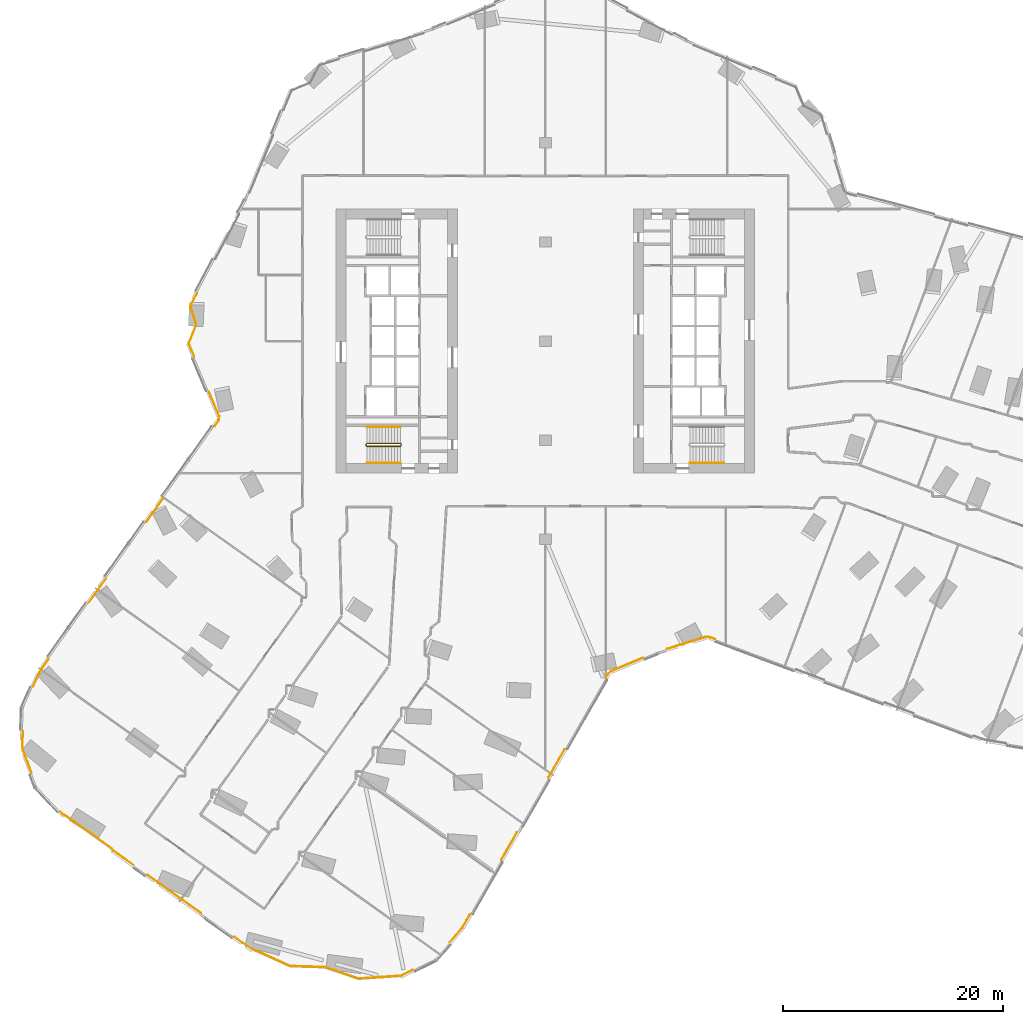
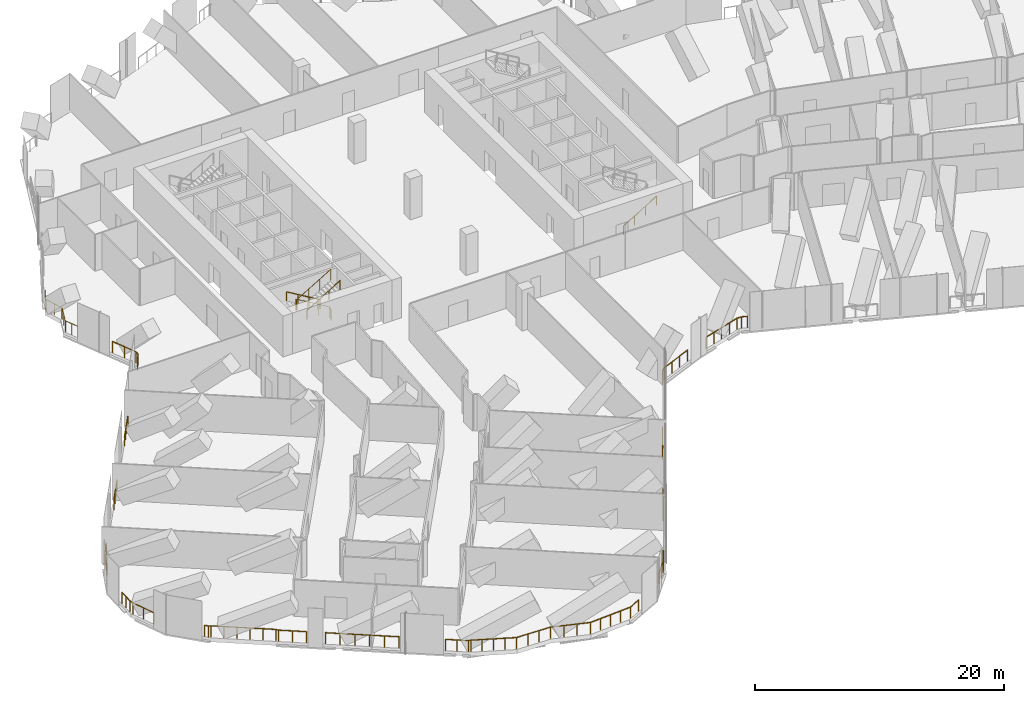
# One storey, part 32 of 34: 20 railings.
"""IFC4 building model written with IfcOpenShell, lengths in metres."""

from ifc_helpers import new_model, si_unit, direction, frame, origin, origin_2d, place, context, subcontext, project, spatial, circle, extrude, material, type_object, element, save


model = new_model("IFC4")

# Units and contexts
model_context = context("Model", 3, precision=1e-05, world=origin(), true_north=direction((0.0, 1.0)))
body_context = subcontext(model_context, "Body", "Model", "MODEL_VIEW")
ifc_project = project(units=[si_unit("LENGTHUNIT", "METRE"), si_unit("AREAUNIT", "SQUARE_METRE"), si_unit("VOLUMEUNIT", "CUBIC_METRE"), si_unit("PLANEANGLEUNIT", "RADIAN"), si_unit("MASSUNIT", "GRAM", prefix="KILO")], contexts=[model_context])

# Site, building, storey
site_placement = place(None, origin())
site = spatial("IfcSite", under=ifc_project, at=site_placement, CompositionType="ELEMENT")
building_placement = place(site_placement, origin())
building = spatial("IfcBuilding", under=site, at=building_placement, Name="Orlundy Tower", CompositionType="ELEMENT")
storey_placement = place(building_placement, frame((0.0, 0.0, 98.199951171875)))
storey = spatial("IfcBuildingStorey", under=building, at=storey_placement, Name="L24", CompositionType="ELEMENT", Elevation=98.199951171875)

# Railings
ifc_material_1 = material(Name="Steel balustrade", Category="steel")
railing_type_1 = type_object("IfcRailingType", Name="Stair Guard 1100", PredefinedType="GUARDRAIL", material=ifc_material_1)
railing_1_placement = place(storey_placement, frame((-13.090087890625, -9.35009765625, 0.0)))
element("IfcRailing", 1, at=railing_1_placement, inside=storey, type_object=railing_type_1, Name="L24 ST-W2 stair guard 1", PredefinedType="GUARDRAIL", context=body_context, shape_type="SweptSolid", body=[
    extrude(circle(Radius=0.02392578125, at=origin_2d()), frame((0.0, 0.0, 1.076171875), z_axis=(0.0, -1.0, 0.0), x_axis=(1.0, 0.0, 0.0)), (0.0, 0.0, 1.0), 0.14990234375),
    extrude(circle(Radius=0.02392578125, at=origin_2d()), frame((0.0, -0.14990234375, 1.076171875), z_axis=(-0.1878875253, 0.754313153044, 0.629054802844), x_axis=(-0.970351222016, -0.241699205484, 0.0)), (0.0, 0.0, 1.0), 0.26513671875),
    extrude(circle(Radius=0.02392578125, at=origin_2d()), frame((-0.0498046875, 0.050048828125, 1.24267578125), z_axis=(-0.859308565015, 0.0, 0.511457515432), x_axis=(0.0, -1.0, 0.0)), (0.0, 0.0, 1.0), 3.58447265625),
    extrude(circle(Radius=0.02392578125, at=origin_2d()), frame((-3.1298828125, 0.050048828125, 3.076171875), z_axis=(-0.707106781187, -0.707106781187, 0.0), x_axis=(0.707106781187, -0.707106781187, 0.0)), (0.0, 0.0, 1.0), 0.07080078125),
    extrude(circle(Radius=0.02392578125, at=origin_2d()), frame((-3.179931640625, 0.0, 3.076171875), z_axis=(0.0, -1.0, 0.0), x_axis=(1.0, 0.0, 0.0)), (0.0, 0.0, 1.0), 0.14990234375),
    extrude(circle(Radius=0.02392578125, at=origin_2d()), frame((-3.179931640625, -0.14990234375, 3.076171875), z_axis=(0.27628659633, -0.27628659633, 0.920506074601), x_axis=(0.707106781187, 0.707106781187, 0.0)), (0.0, 0.0, 1.0), 0.18115234375),
    extrude(circle(Radius=0.02392578125, at=origin_2d()), frame((-3.1298828125, -0.199951171875, 3.24267578125), z_axis=(0.859308565015, 0.0, 0.511457515432), x_axis=(0.0, 1.0, 0.0)), (0.0, 0.0, 1.0), 3.58447265625),
    extrude(circle(Radius=0.02099609375, at=origin_2d()), origin(), (0.0, 0.0, 1.0), 1.052001953125),
    extrude(circle(Radius=0.02099609375, at=origin_2d()), frame((0.0, -0.14990234375, 0.0)), (0.0, 0.0, 1.0), 1.052001953125),
    extrude(circle(Radius=0.02099609375, at=origin_2d()), frame((-0.0498046875, 0.050048828125, 0.166748046875)), (0.0, 0.0, 1.0), 1.052001953125),
    extrude(circle(Radius=0.02099609375, at=origin_2d()), frame((-1.076416015625, 0.050048828125, 0.77783203125)), (0.0, 0.0, 1.0), 1.052001953125),
    extrude(circle(Radius=0.02099609375, at=origin_2d()), frame((-2.103271484375, 0.050048828125, 1.388916015625)), (0.0, 0.0, 1.0), 1.052001953125),
    extrude(circle(Radius=0.02099609375, at=origin_2d()), frame((-3.1298828125, 0.050048828125, 2.0)), (0.0, 0.0, 1.0), 1.052001953125),
    extrude(circle(Radius=0.02099609375, at=origin_2d()), frame((-3.179931640625, 0.0, 2.0)), (0.0, 0.0, 1.0), 1.052001953125),
    extrude(circle(Radius=0.02099609375, at=origin_2d()), frame((-3.179931640625, -0.14990234375, 2.0)), (0.0, 0.0, 1.0), 1.052001953125),
    extrude(circle(Radius=0.02099609375, at=origin_2d()), frame((-3.1298828125, -0.199951171875, 2.166748046875)), (0.0, 0.0, 1.0), 1.052001953125),
    extrude(circle(Radius=0.02099609375, at=origin_2d()), frame((-2.103271484375, -0.199951171875, 2.77783203125)), (0.0, 0.0, 1.0), 1.052001953125),
    extrude(circle(Radius=0.02099609375, at=origin_2d()), frame((-1.076416015625, -0.199951171875, 3.388916015625)), (0.0, 0.0, 1.0), 1.052001953125),
    extrude(circle(Radius=0.02099609375, at=origin_2d()), frame((-0.0498046875, -0.199951171875, 4.0)), (0.0, 0.0, 1.0), 1.052001953125),
])
ifc_material_2 = material(Name="Steel handrail", Category="steel")
railing_type_2 = type_object("IfcRailingType", Name="Stair Handrail 900", PredefinedType="HANDRAIL", material=ifc_material_2)
railing_2_placement = place(storey_placement, frame((-13.139892578125, -7.800048828125, 0.166748046875)))
element("IfcRailing", 2, at=railing_2_placement, inside=storey, type_object=railing_type_2, Name="L24 ST-W2 stair handrail 1", PredefinedType="HANDRAIL", context=body_context, shape_type="SweptSolid", body=[
    extrude(circle(Radius=0.02392578125, at=origin_2d()), frame((0.0, 0.0, 0.8759765625), z_axis=(-0.859308565015, 0.0, 0.511457515432), x_axis=(0.0, -1.0, 0.0)), (0.0, 0.0, 1.0), 3.58447265625),
    extrude(circle(Radius=0.02099609375, at=origin_2d()), origin(), (0.0, 0.0, 1.0), 0.851806640625),
    extrude(circle(Radius=0.02099609375, at=origin_2d()), frame((-1.026611328125, 0.0, 0.611083984375)), (0.0, 0.0, 1.0), 0.851806640625),
    extrude(circle(Radius=0.02099609375, at=origin_2d()), frame((-2.053466796875, 0.0, 1.22216796875)), (0.0, 0.0, 1.0), 0.851806640625),
    extrude(circle(Radius=0.02099609375, at=origin_2d()), frame((-3.080078125, 0.0, 1.833251953125)), (0.0, 0.0, 1.0), 0.851806640625),
])
for number, where, name in (
    (3, (-16.219970703125, -11.050048828125, 2.166748046875), "L24 ST-W2 stair handrail 2"),
    (4, (13.139892578125, -11.050048828125, 0.166748046875), "L24 ST-E1 stair handrail 1"),
):
    element("IfcRailing", number, at=place(storey_placement, frame(where)), inside=storey, type_object=railing_type_2, Name=name, PredefinedType="HANDRAIL", context=body_context, shape_type="SweptSolid", body=[
        extrude(circle(Radius=0.02392578125, at=origin_2d()), frame((0.0, 0.0, 0.8759765625), z_axis=(0.859308565015, 0.0, 0.511457515432), x_axis=(0.0, 1.0, 0.0)), (0.0, 0.0, 1.0), 3.58447265625),
        extrude(circle(Radius=0.02099609375, at=origin_2d()), origin(), (0.0, 0.0, 1.0), 0.851806640625),
        extrude(circle(Radius=0.02099609375, at=origin_2d()), frame((1.026611328125, 0.0, 0.611083984375)), (0.0, 0.0, 1.0), 0.851806640625),
        extrude(circle(Radius=0.02099609375, at=origin_2d()), frame((2.053466796875, 0.0, 1.22216796875)), (0.0, 0.0, 1.0), 0.851806640625),
        extrude(circle(Radius=0.02099609375, at=origin_2d()), frame((3.080078125, 0.0, 1.833251953125)), (0.0, 0.0, 1.0), 0.851806640625),
    ])
ifc_material_3 = material(Name="Stainless steel bronze finish", Category="steel")
railing_type_3 = type_object("IfcRailingType", Name="TG1 terrace guard", PredefinedType="GUARDRAIL", material=ifc_material_3)
railing_3_placement = place(storey_placement, frame((-37.38037109375, -47.6015625, 0.0)))
element("IfcRailing", 5, at=railing_3_placement, inside=storey, type_object=railing_type_3, Name="Guard TG-L24-E01", PredefinedType="GUARDRAIL", context=body_context, shape_type="SweptSolid", body=[
    extrude(circle(Radius=0.02490234375, at=origin_2d()), frame((0.0, 0.0, 1.09521484375), z_axis=(-0.814156525993, 0.58064546083, 0.0), x_axis=(-0.58064546083, -0.814156525993, 0.0)), (0.0, 0.0, 1.0), 2.260498046875),
    extrude(circle(Radius=0.02490234375, at=origin_2d()), frame((-1.84033203125, 1.3125, 1.09521484375), z_axis=(-0.540757591313, 0.841178475377, 0.0), x_axis=(-0.841178475377, -0.540757591313, 0.0)), (0.0, 0.0, 1.0), 0.21533203125),
    extrude(circle(Radius=0.02490234375, at=origin_2d()), frame((-1.956787109375, 1.49365234375, 1.09521484375), z_axis=(-0.814129186926, 0.580683792606, 0.0), x_axis=(-0.580683792606, -0.814129186926, 0.0)), (0.0, 0.0, 1.0), 5.25),
    extrude(circle(Radius=0.02490234375, at=origin_2d()), frame((-6.23095703125, 4.542236328125, 1.09521484375), z_axis=(-0.920319525512, 0.391167446194, 0.0), x_axis=(-0.391167446194, -0.920319525512, 0.0)), (0.0, 0.0, 1.0), 0.19287109375),
    extrude(circle(Radius=0.02490234375, at=origin_2d()), frame((-6.408447265625, 4.61767578125, 1.09521484375), z_axis=(-0.685158952538, 0.728393581628, 0.0), x_axis=(-0.728393581628, -0.685158952538, 0.0)), (0.0, 0.0, 1.0), 0.333251953125),
    extrude(circle(Radius=0.02001953125, at=origin_2d()), origin(), (0.0, 0.0, 1.0), 1.070068359375),
    extrude(circle(Radius=0.02001953125, at=origin_2d()), frame((-0.920166015625, 0.65625, 0.0)), (0.0, 0.0, 1.0), 1.070068359375),
    extrude(circle(Radius=0.02001953125, at=origin_2d()), frame((-1.84033203125, 1.3125, 0.0)), (0.0, 0.0, 1.0), 1.070068359375),
    extrude(circle(Radius=0.02001953125, at=origin_2d()), frame((-1.956787109375, 1.49365234375, 0.0)), (0.0, 0.0, 1.0), 1.070068359375),
    extrude(circle(Radius=0.02001953125, at=origin_2d()), frame((-2.8115234375, 2.103271484375, 0.0)), (0.0, 0.0, 1.0), 1.070068359375),
    extrude(circle(Radius=0.02001953125, at=origin_2d()), frame((-3.66650390625, 2.713134765625, 0.0)), (0.0, 0.0, 1.0), 1.070068359375),
    extrude(circle(Radius=0.02001953125, at=origin_2d()), frame((-4.521240234375, 3.32275390625, 0.0)), (0.0, 0.0, 1.0), 1.070068359375),
    extrude(circle(Radius=0.02001953125, at=origin_2d()), frame((-5.376220703125, 3.9326171875, 0.0)), (0.0, 0.0, 1.0), 1.070068359375),
    extrude(circle(Radius=0.02001953125, at=origin_2d()), frame((-6.23095703125, 4.542236328125, 0.0)), (0.0, 0.0, 1.0), 1.070068359375),
    extrude(circle(Radius=0.02001953125, at=origin_2d()), frame((-6.408447265625, 4.61767578125, 0.0)), (0.0, 0.0, 1.0), 1.070068359375),
    extrude(circle(Radius=0.02001953125, at=origin_2d()), frame((-6.63671875, 4.8603515625, 0.0)), (0.0, 0.0, 1.0), 1.070068359375),
])
railing_4_placement = place(storey_placement, frame((-16.96240234375, -57.898681640625, 0.0)))
element("IfcRailing", 6, at=railing_4_placement, inside=storey, type_object=railing_type_3, Name="Guard TG-L24-E05", PredefinedType="GUARDRAIL", context=body_context, shape_type="SweptSolid", body=[
    extrude(circle(Radius=0.02490234375, at=origin_2d()), frame((0.0, 0.0, 1.09521484375), z_axis=(-0.947822016578, 0.318799976301, 0.0), x_axis=(-0.318799976301, -0.947822016578, 0.0)), (0.0, 0.0, 1.0), 3.273193359375),
    extrude(circle(Radius=0.02490234375, at=origin_2d()), frame((-3.102294921875, 1.04345703125, 1.09521484375), z_axis=(-0.999480847466, 0.032218559083, 0.0), x_axis=(-0.032218559083, -0.999480847466, 0.0)), (0.0, 0.0, 1.0), 3.114501953125),
    extrude(circle(Radius=0.02001953125, at=origin_2d()), origin(), (0.0, 0.0, 1.0), 1.070068359375),
    extrude(circle(Radius=0.02001953125, at=origin_2d()), frame((-1.0341796875, 0.347900390625, 0.0)), (0.0, 0.0, 1.0), 1.070068359375),
    extrude(circle(Radius=0.02001953125, at=origin_2d()), frame((-2.068115234375, 0.695556640625, 0.0)), (0.0, 0.0, 1.0), 1.070068359375),
    extrude(circle(Radius=0.02001953125, at=origin_2d()), frame((-3.102294921875, 1.04345703125, 0.0)), (0.0, 0.0, 1.0), 1.070068359375),
    extrude(circle(Radius=0.02001953125, at=origin_2d()), frame((-4.139892578125, 1.076904296875, 0.0)), (0.0, 0.0, 1.0), 1.070068359375),
    extrude(circle(Radius=0.02001953125, at=origin_2d()), frame((-5.177490234375, 1.1103515625, 0.0)), (0.0, 0.0, 1.0), 1.070068359375),
    extrude(circle(Radius=0.02001953125, at=origin_2d()), frame((-6.215087890625, 1.143798828125, 0.0)), (0.0, 0.0, 1.0), 1.070068359375),
])
railing_5_placement = place(storey_placement, frame((-31.89013671875, -1.3837890625, 0.0)))
element("IfcRailing", 7, at=railing_5_placement, inside=storey, type_object=railing_type_3, Name="Guard TG-L24-E09", PredefinedType="GUARDRAIL", context=body_context, shape_type="SweptSolid", body=[
    extrude(circle(Radius=0.02490234375, at=origin_2d()), frame((0.0, 0.0, 1.09521484375), z_axis=(-0.385214889351, 0.922826900899, 0.0), x_axis=(-0.922826900899, -0.385214889351, 0.0)), (0.0, 0.0, 1.0), 1.21435546875),
    extrude(circle(Radius=0.02490234375, at=origin_2d()), frame((-0.4677734375, 1.12060546875, 1.09521484375), z_axis=(-0.025683224724, 0.999670131577, 0.0), x_axis=(-0.999670131577, -0.025683224724, 0.0)), (0.0, 0.0, 1.0), 0.12353515625),
    extrude(circle(Radius=0.02490234375, at=origin_2d()), frame((-0.470947265625, 1.244140625, 1.09521484375), z_axis=(0.380137614662, 0.924929940006, 0.0), x_axis=(-0.924929940006, 0.380137614662, 0.0)), (0.0, 0.0, 1.0), 1.705078125),
    extrude(circle(Radius=0.02490234375, at=origin_2d()), frame((0.17724609375, 2.8212890625, 1.09521484375), z_axis=(0.045407660919, 0.99896854021, 0.0), x_axis=(-0.99896854021, 0.045407660919, 0.0)), (0.0, 0.0, 1.0), 0.08056640625),
    extrude(circle(Radius=0.02490234375, at=origin_2d()), frame((0.180908203125, 2.90185546875, 1.09521484375), z_axis=(-0.292353246513, 0.956310399009, 0.0), x_axis=(-0.956310399009, -0.292353246513, 0.0)), (0.0, 0.0, 1.0), 1.70361328125),
    extrude(circle(Radius=0.02490234375, at=origin_2d()), frame((-0.317138671875, 4.531005859375, 1.09521484375), z_axis=(0.11672645823, 0.993164102225, 0.0), x_axis=(-0.993164102225, 0.11672645823, 0.0)), (0.0, 0.0, 1.0), 0.123291015625),
    extrude(circle(Radius=0.02490234375, at=origin_2d()), frame((-0.302734375, 4.653564453125, 1.09521484375), z_axis=(0.469562295128, 0.882899343637, 0.0), x_axis=(-0.882899343637, 0.469562295128, 0.0)), (0.0, 0.0, 1.0), 1.198486328125),
    extrude(circle(Radius=0.02001953125, at=origin_2d()), origin(), (0.0, 0.0, 1.0), 1.070068359375),
    extrude(circle(Radius=0.02001953125, at=origin_2d()), frame((-0.23388671875, 0.560302734375, 0.0)), (0.0, 0.0, 1.0), 1.070068359375),
    extrude(circle(Radius=0.02001953125, at=origin_2d()), frame((-0.4677734375, 1.12060546875, 0.0)), (0.0, 0.0, 1.0), 1.070068359375),
    extrude(circle(Radius=0.02001953125, at=origin_2d()), frame((-0.470947265625, 1.244140625, 0.0)), (0.0, 0.0, 1.0), 1.070068359375),
    extrude(circle(Radius=0.02001953125, at=origin_2d()), frame((-0.14697265625, 2.03271484375, 0.0)), (0.0, 0.0, 1.0), 1.070068359375),
    extrude(circle(Radius=0.02001953125, at=origin_2d()), frame((0.17724609375, 2.8212890625, 0.0)), (0.0, 0.0, 1.0), 1.070068359375),
    extrude(circle(Radius=0.02001953125, at=origin_2d()), frame((0.180908203125, 2.90185546875, 0.0)), (0.0, 0.0, 1.0), 1.070068359375),
    extrude(circle(Radius=0.02001953125, at=origin_2d()), frame((-0.068115234375, 3.71630859375, 0.0)), (0.0, 0.0, 1.0), 1.070068359375),
    extrude(circle(Radius=0.02001953125, at=origin_2d()), frame((-0.317138671875, 4.531005859375, 0.0)), (0.0, 0.0, 1.0), 1.070068359375),
    extrude(circle(Radius=0.02001953125, at=origin_2d()), frame((-0.302734375, 4.653564453125, 0.0)), (0.0, 0.0, 1.0), 1.070068359375),
    extrude(circle(Radius=0.02001953125, at=origin_2d()), frame((0.260009765625, 5.711669921875, 0.0)), (0.0, 0.0, 1.0), 1.070068359375),
])
railing_6_placement = place(storey_placement, frame((-31.285400390625, -51.948486328125, 0.0)))
element("IfcRailing", 8, at=railing_6_placement, inside=storey, type_object=railing_type_3, Name="Guard TG-L24-E010", PredefinedType="GUARDRAIL", context=body_context, shape_type="SweptSolid", body=[
    extrude(circle(Radius=0.02490234375, at=origin_2d()), frame((0.0, 0.0, 1.09521484375), z_axis=(-0.814151431422, 0.580652604156, 0.0), x_axis=(-0.580652604156, -0.814151431422, 0.0)), (0.0, 0.0, 1.0), 5.95654296875),
    extrude(circle(Radius=0.02001953125, at=origin_2d()), origin(), (0.0, 0.0, 1.0), 1.070068359375),
    extrude(circle(Radius=0.02001953125, at=origin_2d()), frame((-0.969970703125, 0.691650390625, 0.0)), (0.0, 0.0, 1.0), 1.070068359375),
    extrude(circle(Radius=0.02001953125, at=origin_2d()), frame((-1.93994140625, 1.383544921875, 0.0)), (0.0, 0.0, 1.0), 1.070068359375),
    extrude(circle(Radius=0.02001953125, at=origin_2d()), frame((-2.90966796875, 2.0751953125, 0.0)), (0.0, 0.0, 1.0), 1.070068359375),
    extrude(circle(Radius=0.02001953125, at=origin_2d()), frame((-3.879638671875, 2.76708984375, 0.0)), (0.0, 0.0, 1.0), 1.070068359375),
    extrude(circle(Radius=0.02001953125, at=origin_2d()), frame((-4.849609375, 3.458740234375, 0.0)), (0.0, 0.0, 1.0), 1.070068359375),
])
railing_7_placement = place(storey_placement, frame((-23.177490234375, -56.7548828125, 0.0)))
element("IfcRailing", 9, at=railing_7_placement, inside=storey, type_object=railing_type_3, Name="Guard TG-L24-E011", PredefinedType="GUARDRAIL", context=body_context, shape_type="SweptSolid", body=[
    extrude(circle(Radius=0.02490234375, at=origin_2d()), frame((0.0, 0.0, 1.09521484375), z_axis=(-0.911671993468, 0.41091869795, 0.0), x_axis=(-0.41091869795, -0.911671993468, 0.0)), (0.0, 0.0, 1.0), 3.682373046875),
    extrude(circle(Radius=0.02490234375, at=origin_2d()), frame((-3.357177734375, 1.51318359375, 1.09521484375), z_axis=(-0.979043513295, 0.203651170078, 0.0), x_axis=(-0.203651170078, -0.979043513295, 0.0)), (0.0, 0.0, 1.0), 0.193115234375),
    extrude(circle(Radius=0.02490234375, at=origin_2d()), frame((-3.546142578125, 1.552490234375, 1.09521484375), z_axis=(-0.81410497439, 0.580717737523, 0.0), x_axis=(-0.580717737523, -0.81410497439, 0.0)), (0.0, 0.0, 1.0), 1.864013671875),
    extrude(circle(Radius=0.02001953125, at=origin_2d()), origin(), (0.0, 0.0, 1.0), 1.070068359375),
    extrude(circle(Radius=0.02001953125, at=origin_2d()), frame((-0.83935546875, 0.37841796875, 0.0)), (0.0, 0.0, 1.0), 1.070068359375),
    extrude(circle(Radius=0.02001953125, at=origin_2d()), frame((-1.6787109375, 0.756591796875, 0.0)), (0.0, 0.0, 1.0), 1.070068359375),
    extrude(circle(Radius=0.02001953125, at=origin_2d()), frame((-2.517822265625, 1.134765625, 0.0)), (0.0, 0.0, 1.0), 1.070068359375),
    extrude(circle(Radius=0.02001953125, at=origin_2d()), frame((-3.357177734375, 1.51318359375, 0.0)), (0.0, 0.0, 1.0), 1.070068359375),
    extrude(circle(Radius=0.02001953125, at=origin_2d()), frame((-3.546142578125, 1.552490234375, 0.0)), (0.0, 0.0, 1.0), 1.070068359375),
    extrude(circle(Radius=0.02001953125, at=origin_2d()), frame((-4.304931640625, 2.09375, 0.0)), (0.0, 0.0, 1.0), 1.070068359375),
    extrude(circle(Radius=0.02001953125, at=origin_2d()), frame((-5.063720703125, 2.635009765625, 0.0)), (0.0, 0.0, 1.0), 1.070068359375),
])
railing_8_placement = place(storey_placement, frame((-12.064453125, -57.117431640625, 0.0)))
element("IfcRailing", 10, at=railing_8_placement, inside=storey, type_object=railing_type_3, Name="Guard TG-L24-E016", PredefinedType="GUARDRAIL", context=body_context, shape_type="SweptSolid", body=[
    extrude(circle(Radius=0.02490234375, at=origin_2d()), frame((0.0, 0.0, 1.09521484375), z_axis=(-0.895585656541, -0.444889123039, 0.0), x_axis=(0.444889123039, -0.895585656541, 0.0)), (0.0, 0.0, 1.0), 1.177001953125),
    extrude(circle(Radius=0.02490234375, at=origin_2d()), frame((-1.05419921875, -0.523681640625, 1.09521484375), z_axis=(-0.997762385949, -0.066859712727, 0.0), x_axis=(0.066859712727, -0.997762385949, 0.0)), (0.0, 0.0, 1.0), 3.852294921875),
    extrude(circle(Radius=0.02001953125, at=origin_2d()), origin(), (0.0, 0.0, 1.0), 1.070068359375),
    extrude(circle(Radius=0.02001953125, at=origin_2d()), frame((-1.05419921875, -0.523681640625, 0.0)), (0.0, 0.0, 1.0), 1.070068359375),
    extrude(circle(Radius=0.02001953125, at=origin_2d()), frame((-2.01513671875, -0.588134765625, 0.0)), (0.0, 0.0, 1.0), 1.070068359375),
    extrude(circle(Radius=0.02001953125, at=origin_2d()), frame((-2.97607421875, -0.65234375, 0.0)), (0.0, 0.0, 1.0), 1.070068359375),
    extrude(circle(Radius=0.02001953125, at=origin_2d()), frame((-3.93701171875, -0.716796875, 0.0)), (0.0, 0.0, 1.0), 1.070068359375),
    extrude(circle(Radius=0.02001953125, at=origin_2d()), frame((-4.89794921875, -0.78125, 0.0)), (0.0, 0.0, 1.0), 1.070068359375),
])
railing_9_placement = place(storey_placement, frame((15.395263671875, -27.0654296875, 0.0)))
element("IfcRailing", 11, at=railing_9_placement, inside=storey, type_object=railing_type_3, Name="Guard TG-L24-E020", PredefinedType="GUARDRAIL", context=body_context, shape_type="SweptSolid", body=[
    extrude(circle(Radius=0.02490234375, at=origin_2d()), frame((0.0, 0.0, 1.09521484375), z_axis=(-0.936682238574, 0.350180501941, 0.0), x_axis=(-0.350180501941, -0.936682238574, 0.0)), (0.0, 0.0, 1.0), 0.482421875),
    extrude(circle(Radius=0.02490234375, at=origin_2d()), frame((-0.451904296875, 0.1689453125, 1.09521484375), z_axis=(-0.999544495644, 0.030179483564, 0.0), x_axis=(-0.030179483564, -0.999544495644, 0.0)), (0.0, 0.0, 1.0), 0.404541015625),
    extrude(circle(Radius=0.02490234375, at=origin_2d()), frame((-0.856201171875, 0.18115234375, 1.09521484375), z_axis=(-0.956304751226, -0.292371720215, 0.0), x_axis=(0.292371720215, -0.956304751226, 0.0)), (0.0, 0.0, 1.0), 3.64404296875),
    extrude(circle(Radius=0.02001953125, at=origin_2d()), origin(), (0.0, 0.0, 1.0), 1.070068359375),
    extrude(circle(Radius=0.02001953125, at=origin_2d()), frame((-0.451904296875, 0.1689453125, 0.0)), (0.0, 0.0, 1.0), 1.070068359375),
    extrude(circle(Radius=0.02001953125, at=origin_2d()), frame((-0.856201171875, 0.18115234375, 0.0)), (0.0, 0.0, 1.0), 1.070068359375),
    extrude(circle(Radius=0.02001953125, at=origin_2d()), frame((-1.7275390625, -0.085205078125, 0.0)), (0.0, 0.0, 1.0), 1.070068359375),
    extrude(circle(Radius=0.02001953125, at=origin_2d()), frame((-2.5986328125, -0.3515625, 0.0)), (0.0, 0.0, 1.0), 1.070068359375),
    extrude(circle(Radius=0.02001953125, at=origin_2d()), frame((-3.4697265625, -0.617919921875, 0.0)), (0.0, 0.0, 1.0), 1.070068359375),
    extrude(circle(Radius=0.02001953125, at=origin_2d()), frame((-4.341064453125, -0.88427734375, 0.0)), (0.0, 0.0, 1.0), 1.070068359375),
])
railing_10_placement = place(storey_placement, frame((-46.65234375, -39.205322265625, 0.0)))
element("IfcRailing", 12, at=railing_10_placement, inside=storey, type_object=railing_type_3, Name="Guard TG-L24-E022", PredefinedType="GUARDRAIL", context=body_context, shape_type="SweptSolid", body=[
    extrude(circle(Radius=0.02490234375, at=origin_2d()), frame((0.0, 0.0, 1.09521484375), z_axis=(-0.354135226999, 0.93519422635, 0.0), x_axis=(-0.93519422635, -0.354135226999, 0.0)), (0.0, 0.0, 1.0), 2.18408203125),
    extrude(circle(Radius=0.02490234375, at=origin_2d()), frame((-0.7734375, 2.04248046875, 1.09521484375), z_axis=(-0.164609167656, 0.986358870758, 0.0), x_axis=(-0.986358870758, -0.164609167656, 0.0)), (0.0, 0.0, 1.0), 0.376708984375),
    extrude(circle(Radius=0.02490234375, at=origin_2d()), frame((-0.83544921875, 2.4140625, 1.09521484375), z_axis=(0.030360679227, 0.999539008322, 0.0), x_axis=(-0.999539008322, 0.030360679227, 0.0)), (0.0, 0.0, 1.0), 1.343017578125),
    extrude(circle(Radius=0.02001953125, at=origin_2d()), origin(), (0.0, 0.0, 1.0), 1.070068359375),
    extrude(circle(Radius=0.02001953125, at=origin_2d()), frame((-0.38671875, 1.021240234375, 0.0)), (0.0, 0.0, 1.0), 1.070068359375),
    extrude(circle(Radius=0.02001953125, at=origin_2d()), frame((-0.7734375, 2.04248046875, 0.0)), (0.0, 0.0, 1.0), 1.070068359375),
    extrude(circle(Radius=0.02001953125, at=origin_2d()), frame((-0.83544921875, 2.4140625, 0.0)), (0.0, 0.0, 1.0), 1.070068359375),
    extrude(circle(Radius=0.02001953125, at=origin_2d()), frame((-0.81494140625, 3.085205078125, 0.0)), (0.0, 0.0, 1.0), 1.070068359375),
    extrude(circle(Radius=0.02001953125, at=origin_2d()), frame((-0.794677734375, 3.75634765625, 0.0)), (0.0, 0.0, 1.0), 1.070068359375),
])
railing_11_placement = place(storey_placement, frame((8.86083984375, -28.767578125, 0.0)))
element("IfcRailing", 13, at=railing_11_placement, inside=storey, type_object=railing_type_3, Name="Guard TG-L24-E023", PredefinedType="GUARDRAIL", context=body_context, shape_type="SweptSolid", body=[
    extrude(circle(Radius=0.02490234375, at=origin_2d()), frame((0.0, 0.0, 1.09521484375), z_axis=(-0.92278393602, -0.385317800553, 0.0), x_axis=(0.385317800553, -0.92278393602, 0.0)), (0.0, 0.0, 1.0), 3.1337890625),
    extrude(circle(Radius=0.02490234375, at=origin_2d()), frame((-2.891845703125, -1.20751953125, 1.09521484375), z_axis=(-0.749802618554, -0.661661569996, 0.0), x_axis=(0.661661569996, -0.749802618554, 0.0)), (0.0, 0.0, 1.0), 0.404296875),
    extrude(circle(Radius=0.02490234375, at=origin_2d()), frame((-3.195068359375, -1.47509765625, 1.09521484375), z_axis=(-0.497796037995, -0.867294128054, 0.0), x_axis=(0.867294128054, -0.497796037995, 0.0)), (0.0, 0.0, 1.0), 0.3330078125),
    extrude(circle(Radius=0.02001953125, at=origin_2d()), origin(), (0.0, 0.0, 1.0), 1.070068359375),
    extrude(circle(Radius=0.02001953125, at=origin_2d()), frame((-0.9638671875, -0.402587890625, 0.0)), (0.0, 0.0, 1.0), 1.070068359375),
    extrude(circle(Radius=0.02001953125, at=origin_2d()), frame((-1.927978515625, -0.804931640625, 0.0)), (0.0, 0.0, 1.0), 1.070068359375),
    extrude(circle(Radius=0.02001953125, at=origin_2d()), frame((-2.891845703125, -1.20751953125, 0.0)), (0.0, 0.0, 1.0), 1.070068359375),
    extrude(circle(Radius=0.02001953125, at=origin_2d()), frame((-3.195068359375, -1.47509765625, 0.0)), (0.0, 0.0, 1.0), 1.070068359375),
    extrude(circle(Radius=0.02001953125, at=origin_2d()), frame((-3.36083984375, -1.763916015625, 0.0)), (0.0, 0.0, 1.0), 1.070068359375),
])
railing_12_placement = place(storey_placement, frame((-30.05224609375, -7.7587890625, 0.0)))
element("IfcRailing", 14, at=railing_12_placement, inside=storey, type_object=railing_type_3, Name="Guard TG-L24-E025", PredefinedType="GUARDRAIL", context=body_context, shape_type="SweptSolid", body=[
    extrude(circle(Radius=0.02490234375, at=origin_2d()), frame((0.0, 0.0, 1.09521484375), z_axis=(0.580723077962, 0.814101164919, 0.0), x_axis=(-0.814101164919, 0.580723077962, 0.0)), (0.0, 0.0, 1.0), 0.672607421875),
    extrude(circle(Radius=0.02490234375, at=origin_2d()), frame((0.390625, 0.547607421875, 1.09521484375), z_axis=(0.111810280479, 0.993729571452, 0.0), x_axis=(-0.993729571452, 0.111810280479, 0.0)), (0.0, 0.0, 1.0), 0.388671875),
    extrude(circle(Radius=0.02490234375, at=origin_2d()), frame((0.43408203125, 0.933837890625, 1.09521484375), z_axis=(-0.385297063085, 0.922792594887, 0.0), x_axis=(-0.922792594887, -0.385297063085, 0.0)), (0.0, 0.0, 1.0), 2.39013671875),
    extrude(circle(Radius=0.02001953125, at=origin_2d()), origin(), (0.0, 0.0, 1.0), 1.070068359375),
    extrude(circle(Radius=0.02001953125, at=origin_2d()), frame((0.390625, 0.547607421875, 0.0)), (0.0, 0.0, 1.0), 1.070068359375),
    extrude(circle(Radius=0.02001953125, at=origin_2d()), frame((0.43408203125, 0.933837890625, 0.0)), (0.0, 0.0, 1.0), 1.070068359375),
    extrude(circle(Radius=0.02001953125, at=origin_2d()), frame((-0.0263671875, 2.03662109375, 0.0)), (0.0, 0.0, 1.0), 1.070068359375),
    extrude(circle(Radius=0.02001953125, at=origin_2d()), frame((-0.48681640625, 3.139404296875, 0.0)), (0.0, 0.0, 1.0), 1.070068359375),
])
railing_13_placement = place(storey_placement, frame((-6.8515625, -52.0703125, 0.0)))
element("IfcRailing", 15, at=railing_13_placement, inside=storey, type_object=railing_type_3, Name="Guard TG-L24-E026", PredefinedType="GUARDRAIL", context=body_context, shape_type="SweptSolid", body=[
    extrude(circle(Radius=0.02490234375, at=origin_2d()), frame((0.0, 0.0, 1.09521484375), z_axis=(-0.497580694855, -0.867417691835, 0.0), x_axis=(0.867417691835, -0.497580694855, 0.0)), (0.0, 0.0, 1.0), 1.22119140625),
    extrude(circle(Radius=0.02490234375, at=origin_2d()), frame((-0.607666015625, -1.059326171875, 1.09521484375), z_axis=(-0.579994633855, -0.8146202948, 0.0), x_axis=(0.8146202948, -0.579994633855, 0.0)), (0.0, 0.0, 1.0), 0.39013671875),
    extrude(circle(Radius=0.02490234375, at=origin_2d()), frame((-0.833984375, -1.377197265625, 1.09521484375), z_axis=(-0.657228882928, -0.753691047741, 0.0), x_axis=(0.753691047741, -0.657228882928, 0.0)), (0.0, 0.0, 1.0), 1.5185546875),
    extrude(circle(Radius=0.02001953125, at=origin_2d()), origin(), (0.0, 0.0, 1.0), 1.070068359375),
    extrude(circle(Radius=0.02001953125, at=origin_2d()), frame((-0.3037109375, -0.52978515625, 0.0)), (0.0, 0.0, 1.0), 1.070068359375),
    extrude(circle(Radius=0.02001953125, at=origin_2d()), frame((-0.607666015625, -1.059326171875, 0.0)), (0.0, 0.0, 1.0), 1.070068359375),
    extrude(circle(Radius=0.02001953125, at=origin_2d()), frame((-0.833984375, -1.377197265625, 0.0)), (0.0, 0.0, 1.0), 1.070068359375),
    extrude(circle(Radius=0.02001953125, at=origin_2d()), frame((-1.3330078125, -1.949462890625, 0.0)), (0.0, 0.0, 1.0), 1.070068359375),
    extrude(circle(Radius=0.02001953125, at=origin_2d()), frame((-1.83203125, -2.521728515625, 0.0)), (0.0, 0.0, 1.0), 1.070068359375),
])
railing_14_placement = place(storey_placement, frame((1.74609375, -37.077880859375, 0.0)))
element("IfcRailing", 16, at=railing_14_placement, inside=storey, type_object=railing_type_3, Name="Guard TG-L24-E031", PredefinedType="GUARDRAIL", context=body_context, shape_type="SweptSolid", body=[
    extrude(circle(Radius=0.02490234375, at=origin_2d()), frame((0.0, 0.0, 1.09521484375), z_axis=(-0.497482840152, -0.867473817331, 0.0), x_axis=(0.867473817331, -0.497482840152, 0.0)), (0.0, 0.0, 1.0), 2.952880859375),
    extrude(circle(Radius=0.02001953125, at=origin_2d()), origin(), (0.0, 0.0, 1.0), 1.070068359375),
    extrude(circle(Radius=0.02001953125, at=origin_2d()), frame((-0.48974609375, -0.853759765625, 0.0)), (0.0, 0.0, 1.0), 1.070068359375),
    extrude(circle(Radius=0.02001953125, at=origin_2d()), frame((-0.979248046875, -1.707763671875, 0.0)), (0.0, 0.0, 1.0), 1.070068359375),
    extrude(circle(Radius=0.02001953125, at=origin_2d()), frame((-1.468994140625, -2.5615234375, 0.0)), (0.0, 0.0, 1.0), 1.070068359375),
])
railing_15_placement = place(storey_placement, frame((-46.518798828125, -31.38037109375, 0.0)))
element("IfcRailing", 17, at=railing_15_placement, inside=storey, type_object=railing_type_3, Name="Guard TG-L24-E032", PredefinedType="GUARDRAIL", context=body_context, shape_type="SweptSolid", body=[
    extrude(circle(Radius=0.02490234375, at=origin_2d()), frame((0.0, 0.0, 1.09521484375), z_axis=(0.411053738831, 0.911611114343, 0.0), x_axis=(-0.911611114343, 0.411053738831, 0.0)), (0.0, 0.0, 1.0), 1.3994140625),
    extrude(circle(Radius=0.02490234375, at=origin_2d()), frame((0.5751953125, 1.275634765625, 1.09521484375), z_axis=(0.498024368885, 0.867163034265, 0.0), x_axis=(-0.867163034265, 0.498024368885, 0.0)), (0.0, 0.0, 1.0), 0.39013671875),
    extrude(circle(Radius=0.02490234375, at=origin_2d()), frame((0.76953125, 1.614013671875, 1.09521484375), z_axis=(0.580655707528, 0.814149218089, 0.0), x_axis=(-0.814149218089, 0.580655707528, 0.0)), (0.0, 0.0, 1.0), 1.1103515625),
    extrude(circle(Radius=0.02001953125, at=origin_2d()), origin(), (0.0, 0.0, 1.0), 1.070068359375),
    extrude(circle(Radius=0.02001953125, at=origin_2d()), frame((0.28759765625, 0.6376953125, 0.0)), (0.0, 0.0, 1.0), 1.070068359375),
    extrude(circle(Radius=0.02001953125, at=origin_2d()), frame((0.5751953125, 1.275634765625, 0.0)), (0.0, 0.0, 1.0), 1.070068359375),
    extrude(circle(Radius=0.02001953125, at=origin_2d()), frame((0.76953125, 1.614013671875, 0.0)), (0.0, 0.0, 1.0), 1.070068359375),
    extrude(circle(Radius=0.02001953125, at=origin_2d()), frame((1.414306640625, 2.51806640625, 0.0)), (0.0, 0.0, 1.0), 1.070068359375),
])
railing_16_placement = place(storey_placement, frame((-2.572509765625, -44.6083984375, 0.0)))
element("IfcRailing", 18, at=railing_16_placement, inside=storey, type_object=railing_type_3, Name="Guard TG-L24-E033", PredefinedType="GUARDRAIL", context=body_context, shape_type="SweptSolid", body=[
    extrude(circle(Radius=0.02490234375, at=origin_2d()), frame((0.0, 0.0, 1.09521484375), z_axis=(-0.497490525218, -0.867469410019, 0.0), x_axis=(0.867469410019, -0.497490525218, 0.0)), (0.0, 0.0, 1.0), 2.877685546875),
    extrude(circle(Radius=0.02001953125, at=origin_2d()), origin(), (0.0, 0.0, 1.0), 1.070068359375),
    extrude(circle(Radius=0.02001953125, at=origin_2d()), frame((-0.477294921875, -0.83203125, 0.0)), (0.0, 0.0, 1.0), 1.070068359375),
    extrude(circle(Radius=0.02001953125, at=origin_2d()), frame((-0.954345703125, -1.664306640625, 0.0)), (0.0, 0.0, 1.0), 1.070068359375),
    extrude(circle(Radius=0.02001953125, at=origin_2d()), frame((-1.431640625, -2.496337890625, 0.0)), (0.0, 0.0, 1.0), 1.070068359375),
])
railing_17_placement = place(storey_placement, frame((-41.466064453125, -23.76123046875, 0.0)))
element("IfcRailing", 19, at=railing_17_placement, inside=storey, type_object=railing_type_3, Name="Guard TG-L24-E036", PredefinedType="GUARDRAIL", context=body_context, shape_type="SweptSolid", body=[
    extrude(circle(Radius=0.02490234375, at=origin_2d()), frame((0.0, 0.0, 1.09521484375), z_axis=(0.580694879858, 0.814121278746, 0.0), x_axis=(-0.814121278746, 0.580694879858, 0.0)), (0.0, 0.0, 1.0), 2.678466796875),
    extrude(circle(Radius=0.02001953125, at=origin_2d()), origin(), (0.0, 0.0, 1.0), 1.070068359375),
    extrude(circle(Radius=0.02001953125, at=origin_2d()), frame((0.5185546875, 0.726806640625, 0.0)), (0.0, 0.0, 1.0), 1.070068359375),
    extrude(circle(Radius=0.02001953125, at=origin_2d()), frame((1.036865234375, 1.453857421875, 0.0)), (0.0, 0.0, 1.0), 1.070068359375),
    extrude(circle(Radius=0.02001953125, at=origin_2d()), frame((1.555419921875, 2.1806640625, 0.0)), (0.0, 0.0, 1.0), 1.070068359375),
])
railing_18_placement = place(storey_placement, frame((-36.236083984375, -16.4287109375, 0.0)))
element("IfcRailing", 20, at=railing_18_placement, inside=storey, type_object=railing_type_3, Name="Guard TG-L24-E037", PredefinedType="GUARDRAIL", context=body_context, shape_type="SweptSolid", body=[
    extrude(circle(Radius=0.02490234375, at=origin_2d()), frame((0.0, 0.0, 1.09521484375), z_axis=(0.580671780696, 0.814137754378, 0.0), x_axis=(-0.814137754378, 0.580671780696, 0.0)), (0.0, 0.0, 1.0), 2.610107421875),
    extrude(circle(Radius=0.02001953125, at=origin_2d()), origin(), (0.0, 0.0, 1.0), 1.070068359375),
    extrude(circle(Radius=0.02001953125, at=origin_2d()), frame((0.505126953125, 0.708251953125, 0.0)), (0.0, 0.0, 1.0), 1.070068359375),
    extrude(circle(Radius=0.02001953125, at=origin_2d()), frame((1.010498046875, 1.416748046875, 0.0)), (0.0, 0.0, 1.0), 1.070068359375),
    extrude(circle(Radius=0.02001953125, at=origin_2d()), frame((1.515625, 2.125, 0.0)), (0.0, 0.0, 1.0), 1.070068359375),
])

save(model, "model.ifc")
